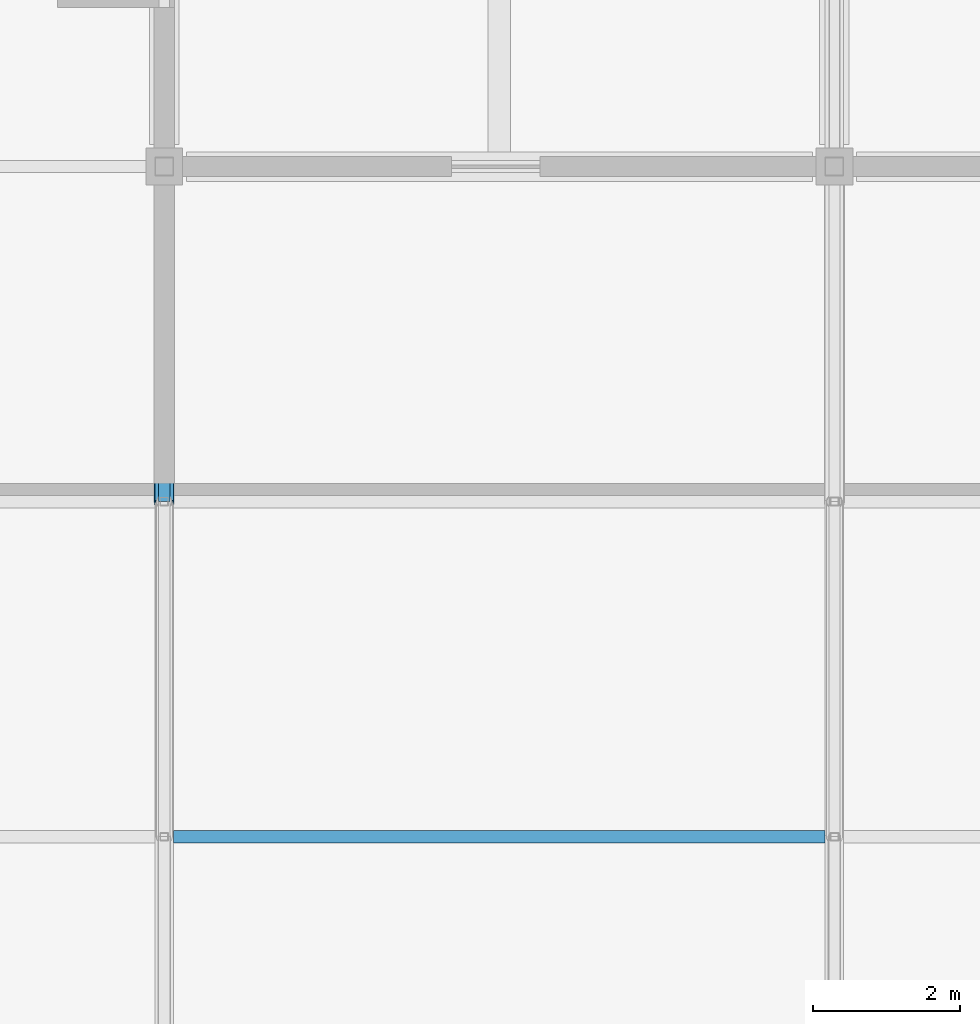
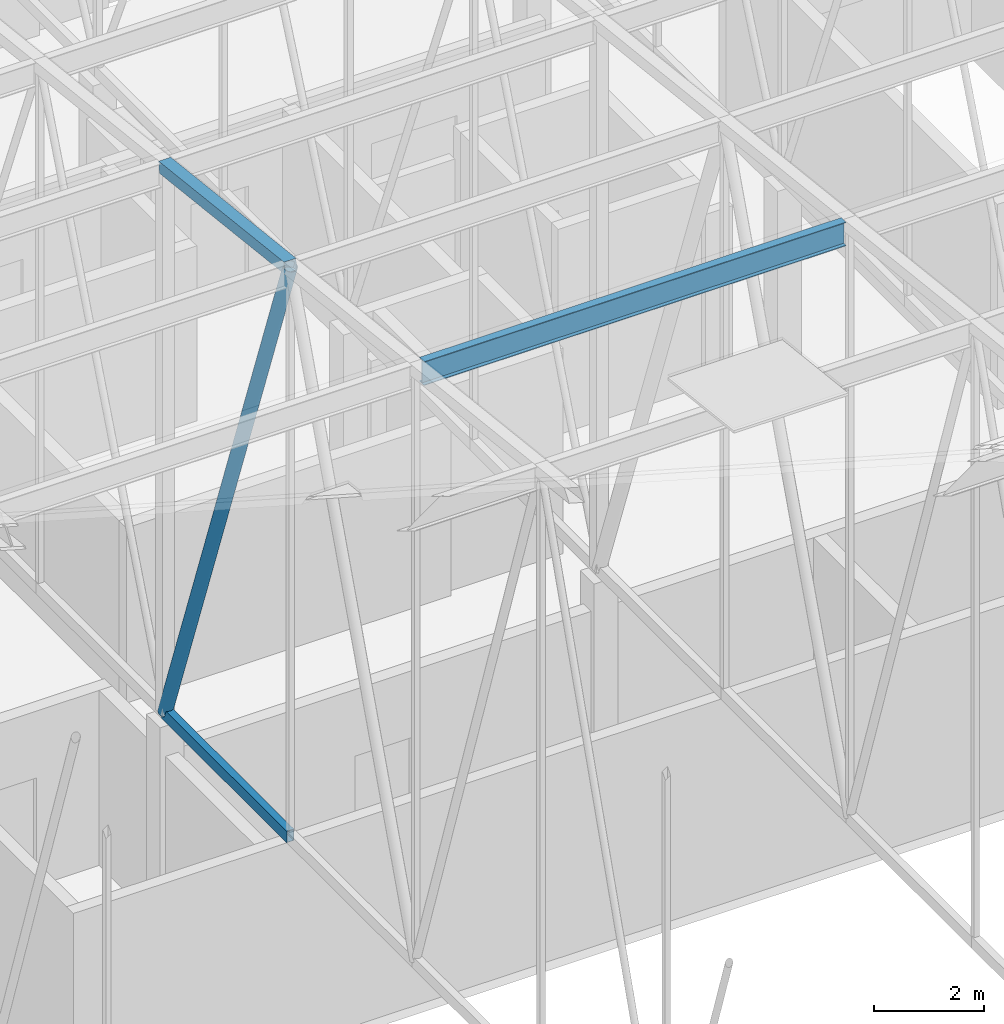
# One storey, part 281 of 500: 4 members.
"""IFC4 building model written with IfcOpenShell, lengths in metres."""

from ifc_helpers import new_model, si_unit, direction, frame, origin, origin_2d, place, context, subcontext, project, spatial, hollow_rectangle, hollow_circle, i_section, extrude, material, material_profile, profile_set, type_object, element, save


model = new_model("IFC4")

# Units and contexts
model_context = context("Model", 3, precision=1e-05, world=origin(), true_north=direction((0.0, 1.0)))
body_context = subcontext(model_context, "Body", "Model", "MODEL_VIEW")
ifc_project = project(units=[si_unit("LENGTHUNIT", "METRE"), si_unit("AREAUNIT", "SQUARE_METRE"), si_unit("VOLUMEUNIT", "CUBIC_METRE"), si_unit("PLANEANGLEUNIT", "RADIAN"), si_unit("MASSUNIT", "GRAM", prefix="KILO")], contexts=[model_context])

# Site, building, storey
site_placement = place(None, origin())
site = spatial("IfcSite", under=ifc_project, at=site_placement, CompositionType="ELEMENT")
building_placement = place(site_placement, origin())
building = spatial("IfcBuilding", under=site, at=building_placement, Name="Shirokan Park Arena", CompositionType="ELEMENT")
storey_placement = place(building_placement, frame((0.0, 0.0, 29.1201171875)))
storey = spatial("IfcBuildingStorey", under=building, at=storey_placement, Name="L06", CompositionType="ELEMENT", Elevation=29.1201171875)

# Members
ifc_material_1 = material(Name="Steel ASTM A500 Grade C", Category="steel")
ifc_material_profile_1 = material_profile(ifc_material_1, hollow_rectangle(XDim=0.152099609375, YDim=0.25390625, WallThickness=0.009521484375, at=origin_2d()), Name="HSS254X152.4X9.5")
ifc_profile_set_1 = profile_set([ifc_material_profile_1], Name="Steel ASTM A500 Grade C")
member_type_1 = type_object("IfcMemberType", Name="Bottom chord HSS254X152.4X9.5", PredefinedType="CHORD", material=ifc_profile_set_1)
member_1_placement = place(storey_placement, frame((109.199951171875, 68.25, 4.677001953125), z_axis=(0.0, 1.0, 0.0), x_axis=(-1.0, 0.0, 0.0)))
element("IfcMember", 1, at=member_1_placement, inside=storey, type_object=member_type_1, Name="Truss T13 bottom chord 18", PredefinedType="CHORD", context=body_context, shape_type="SweptSolid", body=[
    extrude(hollow_rectangle(XDim=0.152099609375, YDim=0.25390625, WallThickness=0.009521484375, at=origin_2d()), origin(), (0.0, 0.0, 1.0), 4.550048828125),
])
ifc_material_2 = material(Name="Steel ASTM A992", Category="steel")
ifc_material_profile_2 = material_profile(ifc_material_2, i_section(OverallWidth=0.166015625, OverallDepth=0.528076171875, WebThickness=0.009765625, FlangeThickness=0.013671875, at=origin_2d()), Name="W530X74")
ifc_profile_set_2 = profile_set([ifc_material_profile_2], Name="Steel ASTM A992")
member_type_2 = type_object("IfcMemberType", Name="Purlin W530X74", PredefinedType="PURLIN", material=ifc_profile_set_2)
member_2_placement = place(storey_placement, frame((109.326904296875, 63.699951171875, 17.685791015625), z_axis=(1.0, 0.0, 0.0), x_axis=(0.0, 1.0, 0.0)))
element("IfcMember", 2, at=member_2_placement, inside=storey, type_object=member_type_2, Name="Purlin 17 bay 13", PredefinedType="PURLIN", context=body_context, shape_type="SweptSolid", body=[
    extrude(i_section(OverallWidth=0.166015625, OverallDepth=0.528076171875, WebThickness=0.009765625, FlangeThickness=0.013671875, at=origin_2d()), origin(), (0.0, 0.0, 1.0), 8.84619140625),
])
ifc_material_profile_3 = material_profile(ifc_material_1, hollow_rectangle(XDim=0.25390625, YDim=0.25390625, WallThickness=0.009521484375, at=origin_2d()), Name="HSS254X254X9.5")
ifc_profile_set_3 = profile_set([ifc_material_profile_3], Name="Steel ASTM A500 Grade C")
member_type_3 = type_object("IfcMemberType", Name="Top chord HSS254X254X9.5", PredefinedType="CHORD", material=ifc_profile_set_3)
member_3_placement = place(storey_placement, frame((109.199951171875, 68.25, 17.302978515625), z_axis=(0.0, 0.993532328996, -0.113549598152), x_axis=(-1.0, 0.0, 0.0)))
element("IfcMember", 3, at=member_3_placement, inside=storey, type_object=member_type_3, Name="Truss T13 top chord 18", PredefinedType="CHORD", context=body_context, shape_type="SweptSolid", body=[
    extrude(hollow_rectangle(XDim=0.25390625, YDim=0.25390625, WallThickness=0.009521484375, at=origin_2d()), origin(), (0.0, 0.0, 1.0), 4.57958984375),
])
ifc_material_profile_4 = material_profile(ifc_material_1, hollow_circle(Radius=0.136474609375, WallThickness=0.009521484375, at=origin_2d()), Name="HSS273.1X9.5")
ifc_profile_set_4 = profile_set([ifc_material_profile_4], Name="Steel ASTM A500 Grade C")
member_type_4 = type_object("IfcMemberType", Name="Truss diagonal HSS273.1X9.5", PredefinedType="BRACE", material=ifc_profile_set_4)
member_4_placement = place(storey_placement, frame((109.199951171875, 68.25, 17.302978515625), z_axis=(0.0, 0.339029292845, -0.940775817394), x_axis=(-1.0, 0.0, 0.0)))
element("IfcMember", 4, at=member_4_placement, inside=storey, type_object=member_type_4, Name="Truss T13 diagonal 18", PredefinedType="BRACE", context=body_context, shape_type="SweptSolid", body=[
    extrude(hollow_circle(Radius=0.136474609375, WallThickness=0.009521484375, at=origin_2d()), origin(), (0.0, 0.0, 1.0), 13.4208984375),
])

save(model, "model.ifc")
